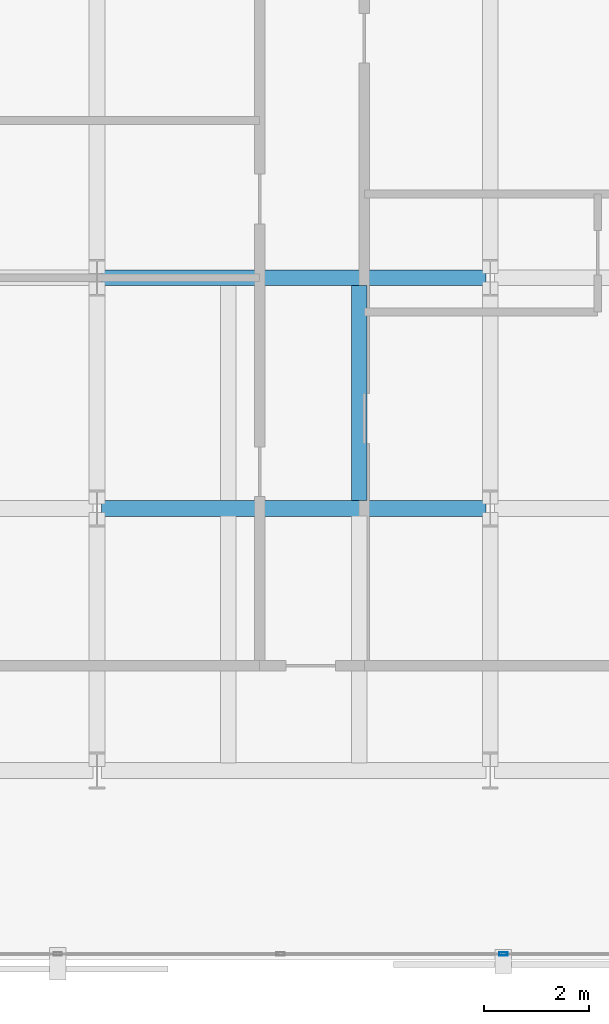
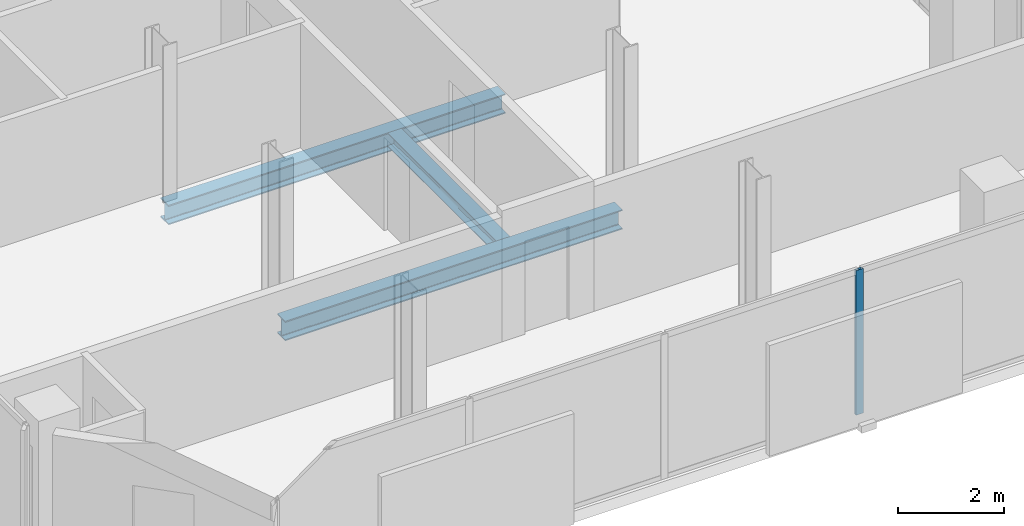
# One storey, part 6 of 34: 3 beams, 1 member, 1 element without a shape of its own.
"""IFC4 building model written with IfcOpenShell, lengths in metres."""

from ifc_helpers import new_model, si_unit, direction, frame, origin, origin_2d, place, context, subcontext, project, spatial, hollow_rectangle, i_section, extrude, material, layer, layer_set, material_profile, profile_set, type_object, element, aggregate, save


model = new_model("IFC4")

# Units and contexts
model_context = context("Model", 3, precision=1e-05, world=origin(), true_north=direction((0.0, 1.0)))
body_context = subcontext(model_context, "Body", "Model", "MODEL_VIEW")
ifc_project = project(units=[si_unit("LENGTHUNIT", "METRE"), si_unit("AREAUNIT", "SQUARE_METRE"), si_unit("VOLUMEUNIT", "CUBIC_METRE"), si_unit("PLANEANGLEUNIT", "RADIAN"), si_unit("MASSUNIT", "GRAM", prefix="KILO")], contexts=[model_context])

# Site, building, storey
site_placement = place(None, origin())
site = spatial("IfcSite", under=ifc_project, at=site_placement, CompositionType="ELEMENT")
building_placement = place(site_placement, origin())
building = spatial("IfcBuilding", under=site, at=building_placement, Name="Catumbela Crestline Tower", CompositionType="ELEMENT")
storey_placement = place(building_placement, frame((0.0, 0.0, 111.6)))
storey = spatial("IfcBuildingStorey", under=building, at=storey_placement, Name="L28", CompositionType="ELEMENT", Elevation=111.6)

# Beams
ifc_material_1 = material(Name="Structural steel S355J2", Category="steel")
ifc_material_profile_1 = material_profile(ifc_material_1, i_section(OverallWidth=0.3, OverallDepth=0.45, WebThickness=0.014, FlangeThickness=0.026, FilletRadius=0.027, at=origin_2d()), Name="HEB 450")
ifc_profile_set_1 = profile_set([ifc_material_profile_1], Name="Structural steel S355J2")
beam_type_1 = type_object("IfcBeamType", Name="BG-HEB450", PredefinedType="BEAM", material=ifc_profile_set_1)
for number, where, z_axis, x_axis, name in (
    (1, (8.58, 13.6, -0.485), (1.0, 0.0, 0.0), (0.0, 1.0, 0.0), "L28 Beam BM-L28-WEW47"),
    (2, (8.58, 18.0, -0.485), (1.0, 0.0, 0.0), (0.0, 1.0, 0.0), "L28 Beam BM-L28-WEW50"),
):
    element("IfcBeam", number, at=place(storey_placement, frame(where, z_axis=z_axis, x_axis=x_axis)), inside=storey, type_object=beam_type_1, Name=name, PredefinedType="BEAM", context=body_context, shape_type="SweptSolid", body=[
        extrude(i_section(OverallWidth=0.3, OverallDepth=0.45, WebThickness=0.014, FlangeThickness=0.026, FilletRadius=0.027, at=origin_2d()), origin(), (0.0, 0.0, 1.0), 7.34),
    ])
ifc_material_profile_2 = material_profile(ifc_material_1, i_section(OverallWidth=0.3, OverallDepth=0.31, WebThickness=0.009, FlangeThickness=0.0155, FilletRadius=0.027, at=origin_2d()), Name="HEA 320")
ifc_profile_set_2 = profile_set([ifc_material_profile_2], Name="Structural steel S355J2")
beam_type_2 = type_object("IfcBeamType", Name="BJ-HEA320", PredefinedType="JOIST", material=ifc_profile_set_2)
beam_placement = place(storey_placement, frame((13.5, 13.747, -0.415), z_axis=(0.0, 1.0, 0.0), x_axis=(-1.0, 0.0, 0.0)))
element("IfcBeam", 3, at=beam_placement, inside=storey, type_object=beam_type_2, Name="L28 Joist JS-L28-WG72", PredefinedType="JOIST", context=body_context, shape_type="SweptSolid", body=[
    extrude(i_section(OverallWidth=0.3, OverallDepth=0.31, WebThickness=0.009, FlangeThickness=0.0155, FilletRadius=0.027, at=origin_2d()), origin(), (0.0, 0.0, 1.0), 4.106),
])

# Curtain wall, member
ifc_material_2 = material(Name="Aluminium alloy AW-6060-T66", Category="aluminium")
ifc_layer = layer(ifc_material_2, 0.18, Name="Aluminium alloy AW-6060-T66")
ifc_layer_set = layer_set([ifc_layer], Name="Aluminium alloy AW-6060-T66")
curtain_wall_type = type_object("IfcCurtainWallType", Name="CWU-Z2", PredefinedType="USERDEFINED", material=ifc_layer_set)
curtain_wall_placement = place(storey_placement, origin())
curtain_wall = element("IfcCurtainWall", 4, at=curtain_wall_placement, inside=storey, type_object=curtain_wall_type, Name="L28 Unitised Curtain Wall CW-L28-E0S1", ObjectType="UNITISED", PredefinedType="USERDEFINED")
ifc_material_profile_3 = material_profile(ifc_material_2, hollow_rectangle(XDim=0.06, YDim=0.16, WallThickness=0.004, at=origin_2d()), Name="ALU 160x60x4")
ifc_profile_set_3 = profile_set([ifc_material_profile_3], Name="Aluminium alloy AW-6060-T66")
member_type = type_object("IfcMemberType", Name="MUL-160X60", PredefinedType="MULLION", material=ifc_profile_set_3)
member_placement = place(storey_placement, frame((16.25, 5.1, 0.0), z_axis=(0.0, 0.0, 1.0), x_axis=(0.0, 1.0, 0.0)))
member = element("IfcMember", 5, at=member_placement, type_object=member_type, Name="CWU-Z2 mullion 4", PredefinedType="MULLION", context=body_context, shape_type="SweptSolid", body=[
    extrude(hollow_rectangle(XDim=0.06, YDim=0.16, WallThickness=0.004, at=origin_2d()), origin(), (0.0, 0.0, 1.0), 3.33),
])
aggregate(curtain_wall, [member])

save(model, "model.ifc")
